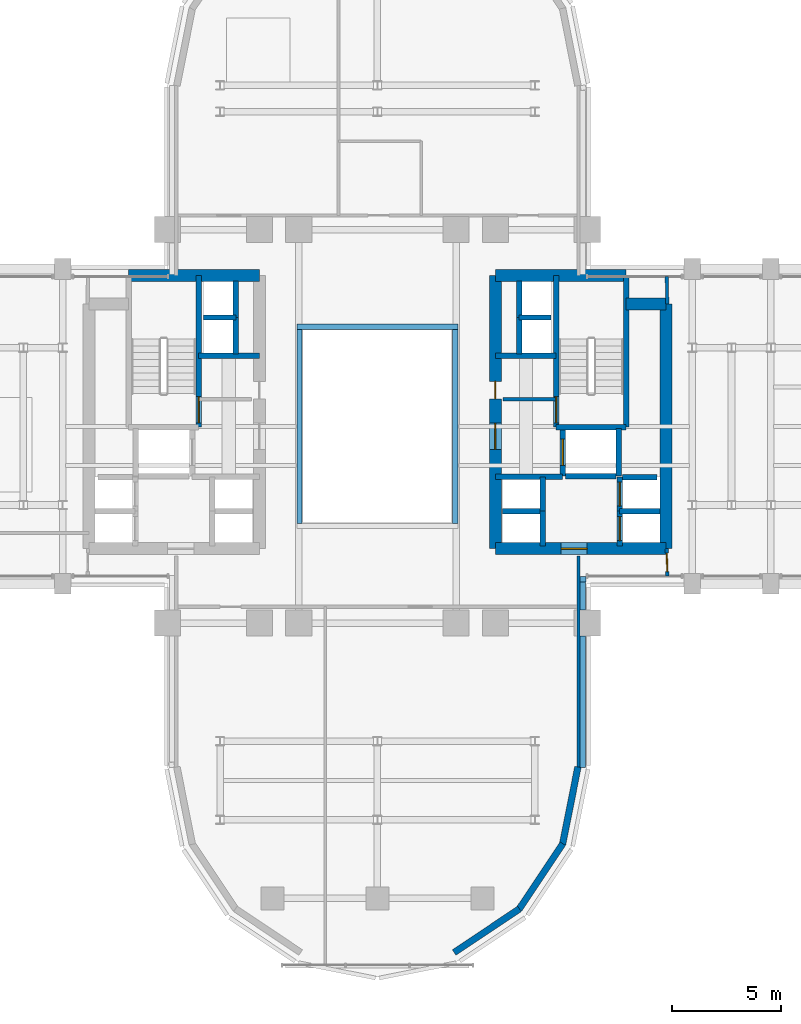
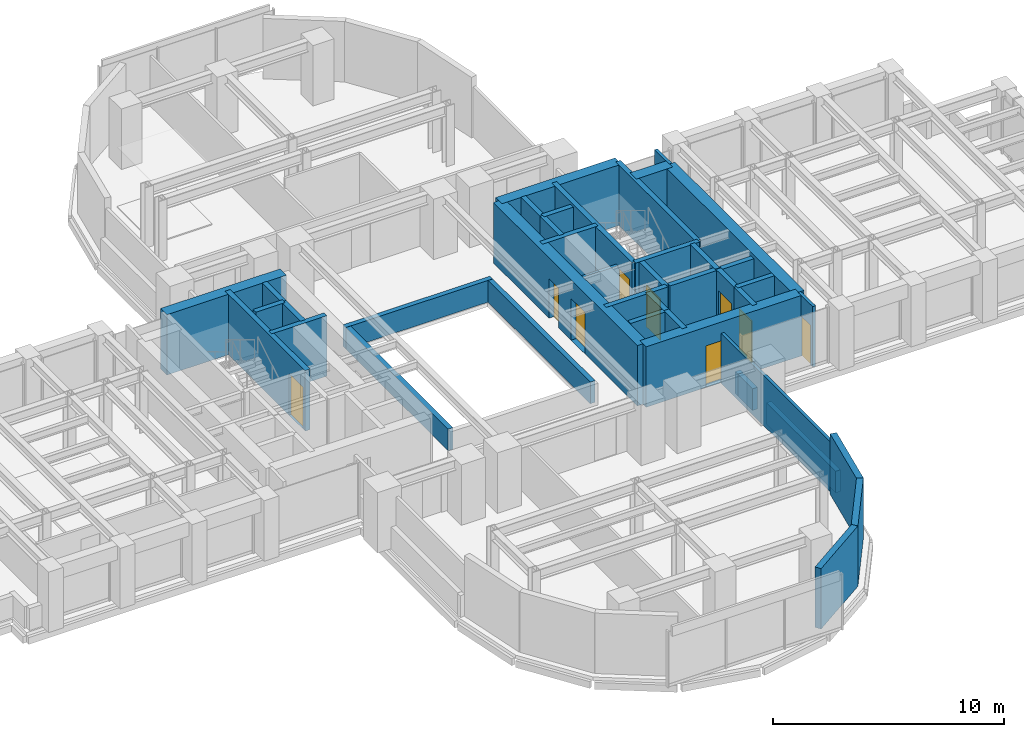
# One storey, part 11 of 16: 42 walls, 9 doors, 9 openings.
"""IFC4 building model written with IfcOpenShell, lengths in metres."""

from ifc_helpers import new_model, si_unit, direction, frame, frame_2d, origin, place, context, subcontext, project, spatial, rectangle, extrude, source, transform, mapped, material, layer, layer_set, type_object, element, fill, save


model = new_model("IFC4")

# Units and contexts
model_context = context("Model", 3, precision=1e-05, world=origin(), true_north=direction((0.0, 1.0)))
body_context = subcontext(model_context, "Body", "Model", "MODEL_VIEW")
ifc_project = project(units=[si_unit("LENGTHUNIT", "METRE"), si_unit("AREAUNIT", "SQUARE_METRE"), si_unit("VOLUMEUNIT", "CUBIC_METRE"), si_unit("PLANEANGLEUNIT", "RADIAN"), si_unit("MASSUNIT", "GRAM", prefix="KILO")], contexts=[model_context])

# Site, building, storey
site_placement = place(None, origin())
site = spatial("IfcSite", under=ifc_project, at=site_placement, CompositionType="ELEMENT")
building_placement = place(site_placement, origin())
building = spatial("IfcBuilding", under=site, at=building_placement, Name="Keilestroom Media Tower", CompositionType="ELEMENT")
storey_placement = place(building_placement, frame((0.0, 0.0, 30.60009765625)))
storey = spatial("IfcBuildingStorey", under=building, at=storey_placement, Name="L06", CompositionType="ELEMENT", Elevation=30.60009765625)

# Walls
ifc_material_1 = material(Name="Precast concrete C40/50", Category="concrete")
ifc_layer_1 = layer(ifc_material_1, 0.300048828125)
ifc_layer_set_1 = layer_set([ifc_layer_1], Name="Precast concrete C40/50")
wall_type_1 = type_object("IfcWallType", Name="Exterior-Masonry-Spandrel-Wall-300", PredefinedType="SOLIDWALL", material=ifc_layer_set_1)
wall_1_placement = place(storey_placement, frame((3.510009765625, -24.073486328125, 0.0), z_axis=(0.0, 0.0, 1.0), x_axis=(0.8314749531, 0.555562239868, 0.0)))
element("IfcWall", 1, at=wall_1_placement, inside=storey, type_object=wall_type_1, Name="L06 Lobe Facet Precast Frame Wall 10", PredefinedType="SOLIDWALL", context=body_context, shape_type="SweptSolid", body=[
    extrude(rectangle(XDim=3.59326171875, YDim=0.300048828125, at=frame_2d((1.796630859375, 0.0))), origin(), (0.0, 0.0, 1.0), 3.199951171875),
])
for number, where, z_axis, x_axis, name in (
    (2, (6.47705078125, -22.097900390625, 0.0), (0.0, 0.0, 1.0), (0.555574187116, 0.831466970246, 0.0), "L06 Lobe Facet Precast Frame Wall 11"),
    (3, (8.470703125, -19.12451171875, 0.0), (0.0, 0.0, 1.0), (0.195114232679, 0.980780523974, 0.0), "L06 Lobe Facet Precast Frame Wall 12"),
):
    element("IfcWall", number, at=place(storey_placement, frame(where, z_axis=z_axis, x_axis=x_axis)), inside=storey, type_object=wall_type_1, Name=name, PredefinedType="SOLIDWALL", context=body_context, shape_type="SweptSolid", body=[
        extrude(rectangle(XDim=3.608642578125, YDim=0.300048828125, at=frame_2d((1.80419921875, 0.0))), origin(), (0.0, 0.0, 1.0), 3.199951171875),
    ])
ifc_material_2 = material(Name="Gypsum Plasterboard & Steel Stud", Category="steel")
ifc_layer_2 = layer(ifc_material_2, 0.14990234375)
ifc_layer_set_2 = layer_set([ifc_layer_2], Name="Gypsum Plasterboard & Steel Stud")
wall_type_2 = type_object("IfcWallType", Name="Interior-Partition-Wall-150", PredefinedType="PARTITIONING", material=ifc_layer_set_2)
wall_2_placement = place(storey_placement, frame((5.75, 1.239990234375, 0.0), z_axis=(0.0, 0.0, 1.0), x_axis=(1.0, 0.0, 0.0)))
element("IfcWall", 4, at=wall_2_placement, inside=storey, type_object=wall_type_2, Name="L06 Interior Wall WP-L06-FFE-TOP", PredefinedType="PARTITIONING", context=body_context, shape_type="SweptSolid", body=[
    extrude(rectangle(XDim=2.389892578125, YDim=0.14990234375, at=frame_2d((1.19482421875, 0.0))), origin(), (0.0, 0.0, 1.0), 2.2998046875),
])
wall_3_placement = place(storey_placement, frame((9.199951171875, -15.679931640625, 0.0), z_axis=(0.0, 0.0, 1.0), x_axis=(0.0, 1.0, 0.0)))
element("IfcWall", 5, at=wall_3_placement, inside=storey, type_object=wall_type_2, Name="L06 Interior Wall WP-L06-SL-CHKE", PredefinedType="PARTITIONING", context=body_context, shape_type="SweptSolid", body=[
    extrude(rectangle(XDim=9.739990234375, YDim=0.14990234375, at=frame_2d((4.8701171875, 0.0))), origin(), (0.0, 0.0, 1.0), 2.64990234375),
])
wall_4_placement = place(storey_placement, frame((13.260009765625, 5.60009765625, 0.0), z_axis=(0.0, 0.0, 1.0), x_axis=(-0.016013571389, 0.999871774545, 0.0)))
element("IfcWall", 6, at=wall_4_placement, inside=storey, type_object=wall_type_2, Name="L06 Interior Wall WP-L06-EA-ENTN", PredefinedType="PARTITIONING", context=body_context, shape_type="SweptSolid", body=[
    extrude(rectangle(XDim=1.250244140625, YDim=0.14990234375, at=frame_2d((0.625, 0.0))), origin(), (0.0, 0.0, 1.0), 3.199951171875),
])

# Wall, opening, door
wall_5_placement = place(storey_placement, frame((13.260009765625, -6.85009765625, 0.0), z_axis=(0.0, 0.0, 1.0), x_axis=(-0.016013571389, 0.999871774545, 0.0)))
wall_5 = element("IfcWall", 7, at=wall_5_placement, inside=storey, type_object=wall_type_2, Name="L06 Interior Wall WP-L06-EA-ENTS", PredefinedType="PARTITIONING", context=body_context, shape_type="SweptSolid", body=[
    extrude(rectangle(XDim=1.250244140625, YDim=0.14990234375, at=frame_2d((0.625, 0.0))), origin(), (0.0, 0.0, 1.0), 3.199951171875),
])
opening_1_placement = place(wall_5_placement, frame((0.199951171875, 0.0, 0.0)))
opening_1 = element("IfcOpeningElement", 8, at=opening_1_placement, cuts=wall_5, Name="Opening DI-05", PredefinedType="OPENING", context=body_context, shape_type="SweptSolid", body=[
    extrude(rectangle(XDim=0.85009765625, YDim=2.10009765625, at=frame_2d((0.425048828125, 1.050048828125))), frame((0.0, 0.0849609375, 0.0), z_axis=(0.0, -1.0, 0.0), x_axis=(1.0, 0.0, 0.0)), (0.0, 0.0, 1.0), 0.169921875),
])
ifc_material_3 = material(Name="Moisture-Resistant Oak Leaf", Category="wood")
door_type_1 = type_object("IfcDoorType", Name="Interior-En-Suite-And-Cupboard-Door-DI-05", OperationType="NOTDEFINED", PredefinedType="DOOR", material=ifc_material_3)
shared_shape_1 = source(origin(), body_context, "Body", "SweptSolid", [
    extrude(rectangle(XDim=0.85009765625, YDim=2.10009765625, at=frame_2d((0.425048828125, 1.050048828125))), frame((0.0, 0.02490234375, 0.0), z_axis=(0.0, -1.0, 0.0), x_axis=(1.0, 0.0, 0.0)), (0.0, 0.0, 1.0), 0.050048828125),
])
door_1_placement = place(opening_1_placement, origin())
door_1 = element("IfcDoor", 9, at=door_1_placement, inside=storey, type_object=door_type_1, Name="L06 Interior Door DI-L06-DEA-S", OperationType="SINGLE_SWING_RIGHT", OverallHeight=2.10009765625, OverallWidth=0.85009765625, PredefinedType="DOOR", context=body_context, shape_type="MappedRepresentation", body=[
    mapped(shared_shape_1, transform((0.0, 0.0, 0.0), x_axis=(1.0, 0.0, 0.0), y_axis=(0.0, 1.0, 0.0), z_axis=(0.0, 0.0, 1.0), scale=1.0)),
])
fill(opening_1, door_1)

# Walls
ifc_material_4 = material(Name="Concrete C70/85", Category="concrete")
ifc_layer_3 = layer(ifc_material_4, 0.550048828125)
ifc_layer_set_3 = layer_set([ifc_layer_3], Name="Concrete C70/85")
wall_type_3 = type_object("IfcWallType", Name="Reinforced-Concrete-Core-Shear-Wall-550", PredefinedType="SHEAR", material=ifc_layer_set_3)
wall_6_placement = place(storey_placement, frame((-11.381103515625, 6.89990234375, 0.0), z_axis=(0.0, 0.0, 1.0), x_axis=(1.0, 0.0, 0.0)))
element("IfcWall", 10, at=wall_6_placement, inside=storey, type_object=wall_type_3, Name="L06 Core Shear Wall WL-L06-CORE-W-N", PredefinedType="SHEAR", context=body_context, shape_type="SweptSolid", body=[
    extrude(rectangle(XDim=5.981201171875, YDim=0.550048828125, at=frame_2d((2.99072265625, 0.0))), origin(), (0.0, 0.0, 1.0), 3.199951171875),
])
wall_7_placement = place(storey_placement, frame((13.199951171875, -5.60009765625, 0.0), z_axis=(0.0, 0.0, 1.0), x_axis=(0.0, 1.0, 0.0)))
element("IfcWall", 11, at=wall_7_placement, inside=storey, type_object=wall_type_3, Name="L06 Core Shear Wall WL-L06-CORE-E-OUT", PredefinedType="SHEAR", context=body_context, shape_type="SweptSolid", body=[
    extrude(rectangle(XDim=11.2001953125, YDim=0.550048828125, at=frame_2d((5.60009765625, 0.0))), origin(), (0.0, 0.0, 1.0), 3.199951171875),
])

# Wall, openings, doors
wall_8_placement = place(storey_placement, frame((5.39990234375, -5.60009765625, 0.0), z_axis=(0.0, 0.0, 1.0), x_axis=(0.0, 1.0, 0.0)))
wall_8 = element("IfcWall", 12, at=wall_8_placement, inside=storey, type_object=wall_type_3, Name="L06 Core Shear Wall WL-L06-CORE-E-IN", PredefinedType="SHEAR", context=body_context, shape_type="SweptSolid", body=[
    extrude(rectangle(XDim=12.5, YDim=0.550048828125, at=frame_2d((6.25, 0.0))), origin(), (0.0, 0.0, 1.0), 3.199951171875),
])
opening_2_placement = place(wall_8_placement, frame((4.550048828125, 0.0, 0.0)))
opening_2 = element("IfcOpeningElement", 13, at=opening_2_placement, cuts=wall_8, Name="Opening DI-02", PredefinedType="OPENING", context=body_context, shape_type="SweptSolid", body=[
    extrude(rectangle(XDim=1.199951171875, YDim=2.199951171875, at=frame_2d((0.60009765625, 1.10009765625))), frame((0.0, 0.28515625, 0.0), z_axis=(0.0, -1.0, 0.0), x_axis=(1.0, 0.0, 0.0)), (0.0, 0.0, 1.0), 0.570068359375),
])
opening_3_placement = place(wall_8_placement, frame((6.860107421875, 0.0, 0.0)))
opening_3 = element("IfcOpeningElement", 14, at=opening_3_placement, cuts=wall_8, Name="Opening DI-06", PredefinedType="OPENING", context=body_context, shape_type="SweptSolid", body=[
    extrude(rectangle(XDim=0.800048828125, YDim=2.10009765625, at=frame_2d((0.39990234375, 1.050048828125))), frame((0.0, 0.28515625, 0.0), z_axis=(0.0, -1.0, 0.0), x_axis=(1.0, 0.0, 0.0)), (0.0, 0.0, 1.0), 0.570068359375),
])
ifc_material_5 = material(Name="Powder-Coated Steel Fire Leaf", Category="steel")
door_type_2 = type_object("IfcDoorType", Name="Interior-Compartment-Fire-Door-DI-02", OperationType="NOTDEFINED", PredefinedType="DOOR", material=ifc_material_5)
shared_shape_2 = source(origin(), body_context, "Body", "SweptSolid", [
    extrude(rectangle(XDim=1.199951171875, YDim=2.199951171875, at=frame_2d((0.60009765625, 1.10009765625))), frame((0.0, 0.02490234375, 0.0), z_axis=(0.0, -1.0, 0.0), x_axis=(1.0, 0.0, 0.0)), (0.0, 0.0, 1.0), 0.050048828125),
])
door_2_placement = place(opening_2_placement, origin())
door_2 = element("IfcDoor", 15, at=door_2_placement, inside=storey, type_object=door_type_2, Name="L06 E Firefighting Lobby Door", OperationType="SINGLE_SWING_LEFT", OverallHeight=2.199951171875, OverallWidth=1.199951171875, PredefinedType="DOOR", context=body_context, shape_type="MappedRepresentation", body=[
    mapped(shared_shape_2, transform((0.0, 0.0, 0.0), x_axis=(1.0, 0.0, 0.0), y_axis=(0.0, 1.0, 0.0), z_axis=(0.0, 0.0, 1.0), scale=1.0)),
])
fill(opening_2, door_2)
ifc_material_6 = material(Name="Powder-Coated Steel Service Leaf", Category="steel")
door_type_3 = type_object("IfcDoorType", Name="Interior-Riser-Access-Door-DI-06", OperationType="NOTDEFINED", PredefinedType="DOOR", material=ifc_material_6)
shared_shape_3 = source(origin(), body_context, "Body", "SweptSolid", [
    extrude(rectangle(XDim=0.800048828125, YDim=2.10009765625, at=frame_2d((0.39990234375, 1.050048828125))), frame((0.0, 0.02490234375, 0.0), z_axis=(0.0, -1.0, 0.0), x_axis=(1.0, 0.0, 0.0)), (0.0, 0.0, 1.0), 0.050048828125),
])
door_3_placement = place(opening_3_placement, origin())
door_3 = element("IfcDoor", 16, at=door_3_placement, inside=storey, type_object=door_type_3, Name="L06 East Core Telecom Door", OperationType="SINGLE_SWING_RIGHT", OverallHeight=2.10009765625, OverallWidth=0.800048828125, PredefinedType="DOOR", context=body_context, shape_type="MappedRepresentation", body=[
    mapped(shared_shape_3, transform((0.0, 0.0, 0.0), x_axis=(1.0, 0.0, 0.0), y_axis=(0.0, 1.0, 0.0), z_axis=(0.0, 0.0, 1.0), scale=1.0)),
])
fill(opening_3, door_3)

# Walls
wall_9_placement = place(storey_placement, frame((5.39990234375, 6.89990234375, 0.0), z_axis=(0.0, 0.0, 1.0), x_axis=(1.0, 0.0, 0.0)))
element("IfcWall", 17, at=wall_9_placement, inside=storey, type_object=wall_type_3, Name="L06 Core Shear Wall WL-L06-CORE-E-N", PredefinedType="SHEAR", context=body_context, shape_type="SweptSolid", body=[
    extrude(rectangle(XDim=5.981201171875, YDim=0.550048828125, at=frame_2d((2.99072265625, 0.0))), origin(), (0.0, 0.0, 1.0), 3.199951171875),
])
wall_10_placement = place(storey_placement, frame((11.381103515625, 5.60009765625, 0.0), z_axis=(0.0, 0.0, 1.0), x_axis=(1.0, 0.0, 0.0)))
element("IfcWall", 18, at=wall_10_placement, inside=storey, type_object=wall_type_3, Name="L06 Core Shear Wall WL-L06-CNE-N", PredefinedType="SHEAR", context=body_context, shape_type="SweptSolid", body=[
    extrude(rectangle(XDim=1.81884765625, YDim=0.550048828125, at=frame_2d((0.909423828125, 0.0))), origin(), (0.0, 0.0, 1.0), 3.199951171875),
])

# Wall, opening, door
wall_11_placement = place(storey_placement, frame((5.39990234375, -5.60009765625, 0.0), z_axis=(0.0, 0.0, 1.0), x_axis=(1.0, 0.0, 0.0)))
wall_11 = element("IfcWall", 19, at=wall_11_placement, inside=storey, type_object=wall_type_3, Name="L06 Core Shear Wall WL-L06-CORE-E-S", PredefinedType="SHEAR", context=body_context, shape_type="SweptSolid", body=[
    extrude(rectangle(XDim=7.800048828125, YDim=0.550048828125, at=frame_2d((3.89990234375, 0.0))), origin(), (0.0, 0.0, 1.0), 3.199951171875),
])
opening_4_placement = place(wall_11_placement, frame((3.0, 0.0, 0.0)))
opening_4 = element("IfcOpeningElement", 20, at=opening_4_placement, cuts=wall_11, Name="Opening DI-02", PredefinedType="OPENING", context=body_context, shape_type="SweptSolid", body=[
    extrude(rectangle(XDim=1.199951171875, YDim=2.199951171875, at=frame_2d((0.60009765625, 1.10009765625))), frame((0.0, 0.28515625, 0.0), z_axis=(0.0, -1.0, 0.0), x_axis=(1.0, 0.0, 0.0)), (0.0, 0.0, 1.0), 0.570068359375),
])
door_4_placement = place(opening_4_placement, origin())
door_4 = element("IfcDoor", 21, at=door_4_placement, inside=storey, type_object=door_type_2, Name="L06 E Passenger Lift Lobby Door", OperationType="SINGLE_SWING_RIGHT", OverallHeight=2.199951171875, OverallWidth=1.199951171875, PredefinedType="DOOR", context=body_context, shape_type="MappedRepresentation", body=[
    mapped(shared_shape_2, transform((0.0, 0.0, 0.0), x_axis=(1.0, 0.0, 0.0), y_axis=(0.0, 1.0, 0.0), z_axis=(0.0, 0.0, 1.0), scale=1.0)),
])
fill(opening_4, door_4)

# Wall
ifc_material_7 = material(Name="Concrete C50/60", Category="concrete")
ifc_layer_4 = layer(ifc_material_7, 0.25)
ifc_layer_set_4 = layer_set([ifc_layer_4], Name="Concrete C50/60")
wall_type_4 = type_object("IfcWallType", Name="Reinforced-Concrete-Shaft-Wall-250", PredefinedType="SOLIDWALL", material=ifc_layer_set_4)
wall_12_placement = place(storey_placement, frame((-8.179931640625, 3.219970703125, 0.0), z_axis=(0.0, 0.0, 1.0), x_axis=(1.0, 0.0, 0.0)))
element("IfcWall", 22, at=wall_12_placement, inside=storey, type_object=wall_type_4, Name="L06 Core Shear Wall WL-L06-CORE-W-FFN", PredefinedType="SOLIDWALL", context=body_context, shape_type="SweptSolid", body=[
    extrude(rectangle(XDim=2.780029296875, YDim=0.25, at=frame_2d((1.39013671875, 0.0))), origin(), (0.0, 0.0, 1.0), 3.199951171875),
])

# Wall, opening, door
wall_13_placement = place(storey_placement, frame((-8.178955078125, -0.041015625, 0.0), z_axis=(0.0, 0.0, 1.0), x_axis=(0.0, 1.0, 0.0)))
wall_13 = element("IfcWall", 23, at=wall_13_placement, inside=storey, type_object=wall_type_4, Name="L06 Core Shear Wall WL-L06-STW-W-NEAR", PredefinedType="SOLIDWALL", context=body_context, shape_type="SweptSolid", body=[
    extrude(rectangle(XDim=6.94091796875, YDim=0.25, at=frame_2d((3.470458984375, 0.0))), origin(), (0.0, 0.0, 1.0), 3.199951171875),
])
opening_5_placement = place(wall_13_placement, frame((0.199951171875, 0.0, 0.0)))
opening_5 = element("IfcOpeningElement", 24, at=opening_5_placement, cuts=wall_13, Name="Opening DI-01S", PredefinedType="OPENING", context=body_context, shape_type="SweptSolid", body=[
    extrude(rectangle(XDim=1.199951171875, YDim=2.199951171875, at=frame_2d((0.60009765625, 1.10009765625))), frame((0.0, 0.135009765625, 0.0), z_axis=(0.0, -1.0, 0.0), x_axis=(1.0, 0.0, 0.0)), (0.0, 0.0, 1.0), 0.27001953125),
])
door_type_4 = type_object("IfcDoorType", Name="Interior-Stair-And-Core-Fire-Door-DI-01", OperationType="NOTDEFINED", PredefinedType="DOOR", material=ifc_material_5)
door_5_placement = place(opening_5_placement, origin())
door_5 = element("IfcDoor", 25, at=door_5_placement, inside=storey, type_object=door_type_4, Name="L06 Escape Stair ST-1 Fire Door", OperationType="SINGLE_SWING_LEFT", OverallHeight=2.199951171875, OverallWidth=1.199951171875, PredefinedType="DOOR", context=body_context, shape_type="MappedRepresentation", body=[
    mapped(shared_shape_2, transform((0.0, 0.0, 0.0), x_axis=(1.0, 0.0, 0.0), y_axis=(0.0, 1.0, 0.0), z_axis=(0.0, 0.0, 1.0), scale=1.0)),
])
fill(opening_5, door_5)

# Walls
wall_14_placement = place(storey_placement, frame((5.39990234375, 3.219970703125, 0.0), z_axis=(0.0, 0.0, 1.0), x_axis=(1.0, 0.0, 0.0)))
element("IfcWall", 26, at=wall_14_placement, inside=storey, type_object=wall_type_4, Name="L06 Core Shear Wall WL-L06-CORE-E-FFN", PredefinedType="SOLIDWALL", context=body_context, shape_type="SweptSolid", body=[
    extrude(rectangle(XDim=2.780029296875, YDim=0.25, at=frame_2d((1.39013671875, 0.0))), origin(), (0.0, 0.0, 1.0), 3.199951171875),
])
wall_15_placement = place(storey_placement, frame((5.39990234375, -2.300048828125, 0.0), z_axis=(0.0, 0.0, 1.0), x_axis=(1.0, 0.0, 0.0)))
element("IfcWall", 27, at=wall_15_placement, inside=storey, type_object=wall_type_4, Name="L06 Core Shear Wall WL-L06-CORE-E-FFS", PredefinedType="SOLIDWALL", context=body_context, shape_type="SweptSolid", body=[
    extrude(rectangle(XDim=3.080078125, YDim=0.25, at=frame_2d((1.5400390625, 0.0))), origin(), (0.0, 0.0, 1.0), 3.199951171875),
])

# Wall, opening, door
wall_16_placement = place(storey_placement, frame((8.178955078125, -0.041015625, 0.0), z_axis=(0.0, 0.0, 1.0), x_axis=(0.0, 1.0, 0.0)))
wall_16 = element("IfcWall", 28, at=wall_16_placement, inside=storey, type_object=wall_type_4, Name="L06 Core Shear Wall WL-L06-STW-E-NEAR", PredefinedType="SOLIDWALL", context=body_context, shape_type="SweptSolid", body=[
    extrude(rectangle(XDim=6.94091796875, YDim=0.25, at=frame_2d((3.470458984375, 0.0))), origin(), (0.0, 0.0, 1.0), 3.199951171875),
])
opening_6_placement = place(wall_16_placement, frame((0.199951171875, 0.0, 0.0)))
opening_6 = element("IfcOpeningElement", 29, at=opening_6_placement, cuts=wall_16, Name="Opening DI-01S", PredefinedType="OPENING", context=body_context, shape_type="SweptSolid", body=[
    extrude(rectangle(XDim=1.199951171875, YDim=2.199951171875, at=frame_2d((0.60009765625, 1.10009765625))), frame((0.0, 0.135009765625, 0.0), z_axis=(0.0, -1.0, 0.0), x_axis=(1.0, 0.0, 0.0)), (0.0, 0.0, 1.0), 0.27001953125),
])
door_6_placement = place(opening_6_placement, origin())
door_6 = element("IfcDoor", 30, at=door_6_placement, inside=storey, type_object=door_type_4, Name="L06 Escape Stair ST-2 Fire Door", OperationType="SINGLE_SWING_RIGHT", OverallHeight=2.199951171875, OverallWidth=1.199951171875, PredefinedType="DOOR", context=body_context, shape_type="MappedRepresentation", body=[
    mapped(shared_shape_2, transform((0.0, 0.0, 0.0), x_axis=(1.0, 0.0, 0.0), y_axis=(0.0, 1.0, 0.0), z_axis=(0.0, 0.0, 1.0), scale=1.0)),
])
fill(opening_6, door_6)

# Walls
wall_17_placement = place(storey_placement, frame((11.381103515625, -0.041015625, 0.0), z_axis=(0.0, 0.0, 1.0), x_axis=(0.0, 1.0, 0.0)))
element("IfcWall", 31, at=wall_17_placement, inside=storey, type_object=wall_type_4, Name="L06 Core Shear Wall WL-L06-STW-E-FAR", PredefinedType="SOLIDWALL", context=body_context, shape_type="SweptSolid", body=[
    extrude(rectangle(XDim=6.94091796875, YDim=0.25, at=frame_2d((3.470458984375, 0.0))), origin(), (0.0, 0.0, 1.0), 3.199951171875),
])
wall_18_placement = place(storey_placement, frame((8.178955078125, -0.041015625, 0.0), z_axis=(0.0, 0.0, 1.0), x_axis=(1.0, 0.0, 0.0)))
element("IfcWall", 32, at=wall_18_placement, inside=storey, type_object=wall_type_4, Name="L06 Core Shear Wall WL-L06-STW-E-S", PredefinedType="SOLIDWALL", context=body_context, shape_type="SweptSolid", body=[
    extrude(rectangle(XDim=3.2021484375, YDim=0.25, at=frame_2d((1.60107421875, 0.0))), origin(), (0.0, 0.0, 1.0), 3.199951171875),
])

# Wall, opening, door
wall_19_placement = place(storey_placement, frame((8.47998046875, -2.280029296875, 0.0), z_axis=(0.0, 0.0, 1.0), x_axis=(0.0, 1.0, 0.0)))
wall_19 = element("IfcWall", 33, at=wall_19_placement, inside=storey, type_object=wall_type_4, Name="L06 Core Shear Wall WL-L06-LSH-FFL-2-W", PredefinedType="SOLIDWALL", context=body_context, shape_type="SweptSolid", body=[
    extrude(rectangle(XDim=2.179931640625, YDim=0.25, at=frame_2d((1.08984375, 0.0))), origin(), (0.0, 0.0, 1.0), 3.199951171875),
])
opening_7_placement = place(wall_19_placement, frame((0.489990234375, 0.0, 0.0)))
opening_7 = element("IfcOpeningElement", 34, at=opening_7_placement, cuts=wall_19, Name="Opening LD-02", PredefinedType="OPENING", context=body_context, shape_type="SweptSolid", body=[
    extrude(rectangle(XDim=1.199951171875, YDim=2.199951171875, at=frame_2d((0.60009765625, 1.10009765625))), frame((0.0, 0.135009765625, 0.0), z_axis=(0.0, -1.0, 0.0), x_axis=(1.0, 0.0, 0.0)), (0.0, 0.0, 1.0), 0.27001953125),
])
ifc_material_8 = material(Name="Brushed Stainless Steel Sliding Leaf", Category="steel")
door_type_5 = type_object("IfcDoorType", Name="Lift-Landing-Sliding-Door-LD-02", OperationType="SLIDING_TO_RIGHT", PredefinedType="DOOR", material=ifc_material_8)
door_7_placement = place(opening_7_placement, origin())
door_7 = element("IfcDoor", 35, at=door_7_placement, inside=storey, type_object=door_type_5, Name="L06 Lift FFL-2 Landing Sliding Door", OperationType="SLIDING_TO_RIGHT", OverallHeight=2.199951171875, OverallWidth=1.199951171875, PredefinedType="DOOR", context=body_context, shape_type="MappedRepresentation", body=[
    mapped(shared_shape_2, transform((0.0, 0.0, 0.0), x_axis=(1.0, 0.0, 0.0), y_axis=(0.0, 1.0, 0.0), z_axis=(0.0, 0.0, 1.0), scale=1.0)),
])
fill(opening_7, door_7)

# Walls
wall_20_placement = place(storey_placement, frame((11.050048828125, -2.280029296875, 0.0), z_axis=(0.0, 0.0, 1.0), x_axis=(0.0, 1.0, 0.0)))
element("IfcWall", 36, at=wall_20_placement, inside=storey, type_object=wall_type_4, Name="L06 Core Shear Wall WL-L06-LSH-FFL-2-E", PredefinedType="SOLIDWALL", context=body_context, shape_type="SweptSolid", body=[
    extrude(rectangle(XDim=2.179931640625, YDim=0.25, at=frame_2d((1.08984375, 0.0))), origin(), (0.0, 0.0, 1.0), 3.199951171875),
])
wall_21_placement = place(storey_placement, frame((8.60888671875, -2.280029296875, 0.0), z_axis=(0.0, 0.0, 1.0), x_axis=(1.0, 0.0, 0.0)))
element("IfcWall", 37, at=wall_21_placement, inside=storey, type_object=wall_type_4, Name="L06 Core Shear Wall WL-L06-LSH-FFL-2-S", PredefinedType="SOLIDWALL", context=body_context, shape_type="SweptSolid", body=[
    extrude(rectangle(XDim=2.31201171875, YDim=0.25, at=frame_2d((1.156005859375, 0.0))), origin(), (0.0, 0.0, 1.0), 3.199951171875),
])

# Wall, opening, door
wall_22_placement = place(storey_placement, frame((11.080078125, -5.47998046875, 0.0), z_axis=(0.0, 0.0, 1.0), x_axis=(0.0, 1.0, 0.0)))
wall_22 = element("IfcWall", 38, at=wall_22_placement, inside=storey, type_object=wall_type_4, Name="L06 Core Shear Wall WL-L06-LSH-PL-L3-W", PredefinedType="SOLIDWALL", context=body_context, shape_type="SweptSolid", body=[
    extrude(rectangle(XDim=1.60009765625, YDim=0.25, at=frame_2d((0.800048828125, 0.0))), origin(), (0.0, 0.0, 1.0), 3.199951171875),
])
opening_8_placement = place(wall_22_placement, frame((0.25, 0.0, 0.0)))
opening_8 = element("IfcOpeningElement", 39, at=opening_8_placement, cuts=wall_22, Name="Opening LD-01", PredefinedType="OPENING", context=body_context, shape_type="SweptSolid", body=[
    extrude(rectangle(XDim=1.10009765625, YDim=2.199951171875, at=frame_2d((0.550048828125, 1.10009765625))), frame((0.0, 0.135009765625, 0.0), z_axis=(0.0, -1.0, 0.0), x_axis=(1.0, 0.0, 0.0)), (0.0, 0.0, 1.0), 0.27001953125),
])
door_type_6 = type_object("IfcDoorType", Name="Lift-Landing-Sliding-Door-LD-01", OperationType="SLIDING_TO_LEFT", PredefinedType="DOOR", material=ifc_material_8)
shared_shape_4 = source(origin(), body_context, "Body", "SweptSolid", [
    extrude(rectangle(XDim=1.10009765625, YDim=2.199951171875, at=frame_2d((0.550048828125, 1.10009765625))), frame((0.0, 0.02490234375, 0.0), z_axis=(0.0, -1.0, 0.0), x_axis=(1.0, 0.0, 0.0)), (0.0, 0.0, 1.0), 0.050048828125),
])
door_8_placement = place(opening_8_placement, origin())
door_8 = element("IfcDoor", 40, at=door_8_placement, inside=storey, type_object=door_type_6, Name="L06 Lift PL-L3 Landing Sliding Door", OperationType="SLIDING_TO_LEFT", OverallHeight=2.199951171875, OverallWidth=1.10009765625, PredefinedType="DOOR", context=body_context, shape_type="MappedRepresentation", body=[
    mapped(shared_shape_4, transform((0.0, 0.0, 0.0), x_axis=(1.0, 0.0, 0.0), y_axis=(0.0, 1.0, 0.0), z_axis=(0.0, 0.0, 1.0), scale=1.0)),
])
fill(opening_8, door_8)

# Wall
wall_23_placement = place(storey_placement, frame((11.080078125, -3.8798828125, 0.0), z_axis=(0.0, 0.0, 1.0), x_axis=(1.0, 0.0, 0.0)))
element("IfcWall", 41, at=wall_23_placement, inside=storey, type_object=wall_type_4, Name="L06 Core Shear Wall WL-L06-LSH-PL-L3-N", PredefinedType="SOLIDWALL", context=body_context, shape_type="SweptSolid", body=[
    extrude(rectangle(XDim=1.83984375, YDim=0.25, at=frame_2d((0.919921875, 0.0))), origin(), (0.0, 0.0, 1.0), 3.199951171875),
])

# Wall, opening, door
wall_24_placement = place(storey_placement, frame((11.080078125, -3.8798828125, 0.0), z_axis=(0.0, 0.0, 1.0), x_axis=(0.0, 1.0, 0.0)))
wall_24 = element("IfcWall", 42, at=wall_24_placement, inside=storey, type_object=wall_type_4, Name="L06 Core Shear Wall WL-L06-LSH-PL-L4-W", PredefinedType="SOLIDWALL", context=body_context, shape_type="SweptSolid", body=[
    extrude(rectangle(XDim=1.559814453125, YDim=0.25, at=frame_2d((0.77978515625, 0.0))), origin(), (0.0, 0.0, 1.0), 3.199951171875),
])
opening_9_placement = place(wall_24_placement, frame((0.22998046875, 0.0, 0.0)))
opening_9 = element("IfcOpeningElement", 43, at=opening_9_placement, cuts=wall_24, Name="Opening LD-01", PredefinedType="OPENING", context=body_context, shape_type="SweptSolid", body=[
    extrude(rectangle(XDim=1.10009765625, YDim=2.199951171875, at=frame_2d((0.550048828125, 1.10009765625))), frame((0.0, 0.135009765625, 0.0), z_axis=(0.0, -1.0, 0.0), x_axis=(1.0, 0.0, 0.0)), (0.0, 0.0, 1.0), 0.27001953125),
])
door_9_placement = place(opening_9_placement, origin())
door_9 = element("IfcDoor", 44, at=door_9_placement, inside=storey, type_object=door_type_6, Name="L06 Lift PL-L4 Landing Sliding Door", OperationType="SLIDING_TO_LEFT", OverallHeight=2.199951171875, OverallWidth=1.10009765625, PredefinedType="DOOR", context=body_context, shape_type="MappedRepresentation", body=[
    mapped(shared_shape_4, transform((0.0, 0.0, 0.0), x_axis=(1.0, 0.0, 0.0), y_axis=(0.0, 1.0, 0.0), z_axis=(0.0, 0.0, 1.0), scale=1.0)),
])
fill(opening_9, door_9)

# Walls
wall_25_placement = place(storey_placement, frame((11.208984375, -2.320068359375, 0.0), z_axis=(0.0, 0.0, 1.0), x_axis=(1.0, 0.0, 0.0)))
element("IfcWall", 45, at=wall_25_placement, inside=storey, type_object=wall_type_4, Name="L06 Core Shear Wall WL-L06-LSH-PL-L4-N", PredefinedType="SOLIDWALL", context=body_context, shape_type="SweptSolid", body=[
    extrude(rectangle(XDim=1.58203125, YDim=0.25, at=frame_2d((0.791015625, 0.0))), origin(), (0.0, 0.0, 1.0), 3.199951171875),
])
wall_26_placement = place(storey_placement, frame((7.56005859375, -5.47998046875, 0.0), z_axis=(0.0, 0.0, 1.0), x_axis=(0.0, 1.0, 0.0)))
element("IfcWall", 46, at=wall_26_placement, inside=storey, type_object=wall_type_4, Name="L06 Core Shear Wall WL-L06-LSH-PL-M3-E", PredefinedType="SOLIDWALL", context=body_context, shape_type="SweptSolid", body=[
    extrude(rectangle(XDim=1.60009765625, YDim=0.25, at=frame_2d((0.800048828125, 0.0))), origin(), (0.0, 0.0, 1.0), 3.199951171875),
])
wall_27_placement = place(storey_placement, frame((5.719970703125, -3.8798828125, 0.0), z_axis=(0.0, 0.0, 1.0), x_axis=(1.0, 0.0, 0.0)))
element("IfcWall", 47, at=wall_27_placement, inside=storey, type_object=wall_type_4, Name="L06 Core Shear Wall WL-L06-LSH-PL-M3-N", PredefinedType="SOLIDWALL", context=body_context, shape_type="SweptSolid", body=[
    extrude(rectangle(XDim=1.840087890625, YDim=0.25, at=frame_2d((0.919921875, 0.0))), origin(), (0.0, 0.0, 1.0), 3.199951171875),
])
wall_28_placement = place(storey_placement, frame((7.56005859375, -3.8798828125, 0.0), z_axis=(0.0, 0.0, 1.0), x_axis=(0.0, 1.0, 0.0)))
element("IfcWall", 48, at=wall_28_placement, inside=storey, type_object=wall_type_4, Name="L06 Core Shear Wall WL-L06-LSH-PL-M4-E", PredefinedType="SOLIDWALL", context=body_context, shape_type="SweptSolid", body=[
    extrude(rectangle(XDim=1.559814453125, YDim=0.25, at=frame_2d((0.77978515625, 0.0))), origin(), (0.0, 0.0, 1.0), 3.199951171875),
])
wall_29_placement = place(storey_placement, frame((-6.47998046875, 3.300048828125, 0.0), z_axis=(0.0, 0.0, 1.0), x_axis=(0.0, 1.0, 0.0)))
element("IfcWall", 49, at=wall_29_placement, inside=storey, type_object=wall_type_4, Name="L06 Core Shear Wall WL-L06-LSH-PL-H1-E", PredefinedType="SOLIDWALL", context=body_context, shape_type="SweptSolid", body=[
    extrude(rectangle(XDim=1.679931640625, YDim=0.25, at=frame_2d((0.83984375, 0.0))), origin(), (0.0, 0.0, 1.0), 3.199951171875),
])
wall_30_placement = place(storey_placement, frame((-7.949951171875, 4.97998046875, 0.0), z_axis=(0.0, 0.0, 1.0), x_axis=(1.0, 0.0, 0.0)))
element("IfcWall", 50, at=wall_30_placement, inside=storey, type_object=wall_type_4, Name="L06 Core Shear Wall WL-L06-LSH-PL-H1-N", PredefinedType="SOLIDWALL", context=body_context, shape_type="SweptSolid", body=[
    extrude(rectangle(XDim=1.469970703125, YDim=0.25, at=frame_2d((0.73486328125, 0.0))), origin(), (0.0, 0.0, 1.0), 3.199951171875),
])
wall_31_placement = place(storey_placement, frame((-6.47998046875, 4.97998046875, 0.0), z_axis=(0.0, 0.0, 1.0), x_axis=(0.0, 1.0, 0.0)))
element("IfcWall", 51, at=wall_31_placement, inside=storey, type_object=wall_type_4, Name="L06 Core Shear Wall WL-L06-LSH-PL-H2-E", PredefinedType="SOLIDWALL", context=body_context, shape_type="SweptSolid", body=[
    extrude(rectangle(XDim=1.669921875, YDim=0.25, at=frame_2d((0.8349609375, 0.0))), origin(), (0.0, 0.0, 1.0), 3.199951171875),
])
wall_32_placement = place(storey_placement, frame((6.47998046875, 3.300048828125, 0.0), z_axis=(0.0, 0.0, 1.0), x_axis=(0.0, 1.0, 0.0)))
element("IfcWall", 52, at=wall_32_placement, inside=storey, type_object=wall_type_4, Name="L06 Core Shear Wall WL-L06-LSH-PL-H3-W", PredefinedType="SOLIDWALL", context=body_context, shape_type="SweptSolid", body=[
    extrude(rectangle(XDim=1.679931640625, YDim=0.25, at=frame_2d((0.83984375, 0.0))), origin(), (0.0, 0.0, 1.0), 3.199951171875),
])
wall_33_placement = place(storey_placement, frame((6.47998046875, 4.97998046875, 0.0), z_axis=(0.0, 0.0, 1.0), x_axis=(1.0, 0.0, 0.0)))
element("IfcWall", 53, at=wall_33_placement, inside=storey, type_object=wall_type_4, Name="L06 Core Shear Wall WL-L06-LSH-PL-H3-N", PredefinedType="SOLIDWALL", context=body_context, shape_type="SweptSolid", body=[
    extrude(rectangle(XDim=1.469970703125, YDim=0.25, at=frame_2d((0.73486328125, 0.0))), origin(), (0.0, 0.0, 1.0), 3.199951171875),
])
wall_34_placement = place(storey_placement, frame((6.47998046875, 4.97998046875, 0.0), z_axis=(0.0, 0.0, 1.0), x_axis=(0.0, 1.0, 0.0)))
element("IfcWall", 54, at=wall_34_placement, inside=storey, type_object=wall_type_4, Name="L06 Core Shear Wall WL-L06-LSH-PL-H4-W", PredefinedType="SOLIDWALL", context=body_context, shape_type="SweptSolid", body=[
    extrude(rectangle(XDim=1.669921875, YDim=0.25, at=frame_2d((0.8349609375, 0.0))), origin(), (0.0, 0.0, 1.0), 3.199951171875),
])
ifc_layer_5 = layer(ifc_material_1, 0.239990234375)
ifc_layer_set_5 = layer_set([ifc_layer_5], Name="Precast concrete C40/50")
wall_type_5 = type_object("IfcWallType", Name="Roof-And-Terrace-Parapet-Wall-240", PredefinedType="PARAPET", material=ifc_layer_set_5)
wall_35_placement = place(storey_placement, frame((9.547119140625, -7.0, 0.0), z_axis=(0.0, 0.0, 1.0), x_axis=(-1.0, 0.0, 0.0)))
element("IfcWall", 55, at=wall_35_placement, inside=storey, type_object=wall_type_5, Name="L06 Perimeter Edge Parapet Wall 06", PredefinedType="PARAPET", context=body_context, shape_type="SweptSolid", body=[
    extrude(rectangle(XDim=0.26904296875, YDim=0.239990234375, at=frame_2d((0.134521484375, 0.0))), origin(), (0.0, 0.0, 1.0), 1.14990234375),
])
wall_36_placement = place(storey_placement, frame((9.39990234375, -7.123046875, 0.0), z_axis=(0.0, 0.0, 1.0), x_axis=(0.0, -1.0, 0.0)))
element("IfcWall", 56, at=wall_36_placement, inside=storey, type_object=wall_type_5, Name="L06 Perimeter Edge Parapet Wall 07", PredefinedType="PARAPET", context=body_context, shape_type="SweptSolid", body=[
    extrude(rectangle(XDim=1.27392578125, YDim=0.239990234375, at=frame_2d((0.636962890625, 0.0))), origin(), (0.0, 0.0, 1.0), 1.14990234375),
])
wall_37_placement = place(storey_placement, frame((9.39990234375, -9.60302734375, 0.0), z_axis=(0.0, 0.0, 1.0), x_axis=(0.0, -1.0, 0.0)))
element("IfcWall", 57, at=wall_37_placement, inside=storey, type_object=wall_type_5, Name="L06 Perimeter Edge Parapet Wall 08", PredefinedType="PARAPET", context=body_context, shape_type="SweptSolid", body=[
    extrude(rectangle(XDim=5.999755859375, YDim=0.239990234375, at=frame_2d((3.0, 0.0))), origin(), (0.0, 0.0, 1.0), 1.14990234375),
])
wall_38_placement = place(storey_placement, frame((-3.679931640625, 4.56005859375, 0.0), z_axis=(0.0, 0.0, 1.0), x_axis=(1.0, 0.0, 0.0)))
element("IfcWall", 58, at=wall_38_placement, inside=storey, type_object=wall_type_5, Name="L06 Central Atrium Guard Parapet N", PredefinedType="PARAPET", context=body_context, shape_type="SweptSolid", body=[
    extrude(rectangle(XDim=7.35986328125, YDim=0.239990234375, at=frame_2d((3.679931640625, 0.0))), origin(), (0.0, 0.0, 1.0), 1.14990234375),
])
for number, where, z_axis, x_axis, name in (
    (59, (-3.56005859375, -4.43505859375, 0.0), (0.0, 0.0, 1.0), (0.0, 1.0, 0.0), "L06 Central Atrium Guard Parapet W"),
    (60, (3.56005859375, -4.43505859375, 0.0), (0.0, 0.0, 1.0), (0.0, 1.0, 0.0), "L06 Central Atrium Guard Parapet E"),
):
    element("IfcWall", number, at=place(storey_placement, frame(where, z_axis=z_axis, x_axis=x_axis)), inside=storey, type_object=wall_type_5, Name=name, PredefinedType="PARAPET", context=body_context, shape_type="SweptSolid", body=[
        extrude(rectangle(XDim=8.8701171875, YDim=0.239990234375, at=frame_2d((4.43505859375, 0.0))), origin(), (0.0, 0.0, 1.0), 1.14990234375),
    ])

save(model, "model.ifc")
